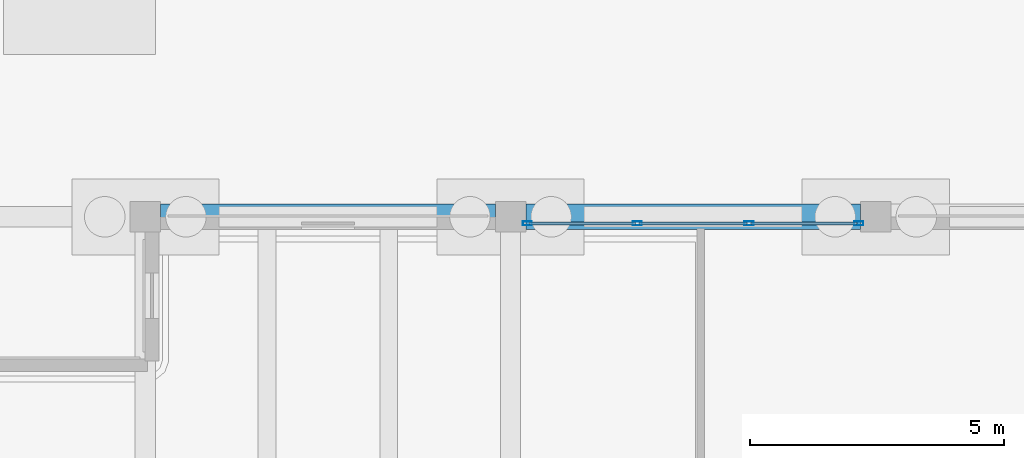
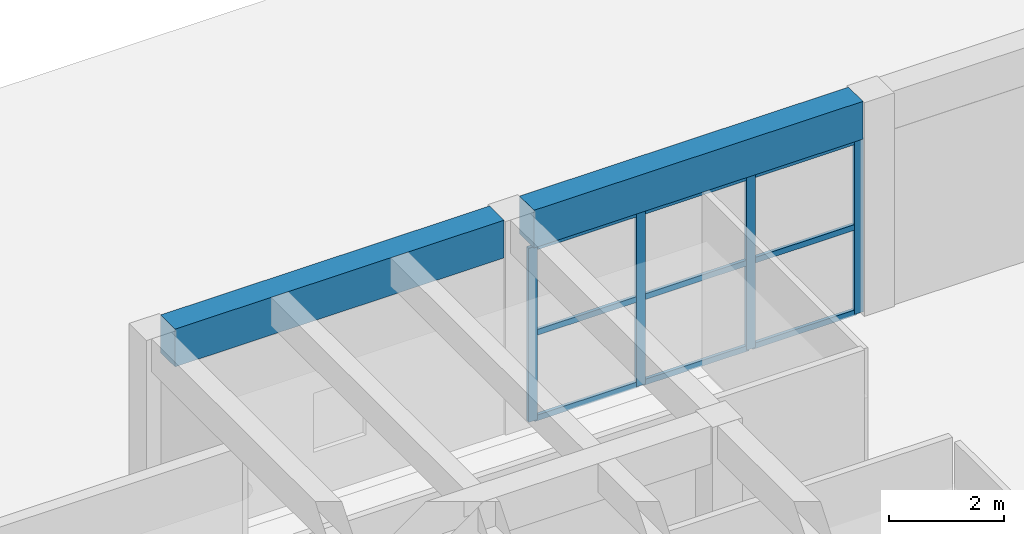
# One storey, part 96 of 155: 13 members, 2 beams, 1 element without a shape of its own.
"""IFC4 building model written with IfcOpenShell, lengths in metres."""

from ifc_helpers import new_model, si_unit, direction, frame, origin, origin_2d, place, context, subcontext, project, spatial, rectangle, hollow_rectangle, extrude, material, material_profile, profile_set, type_object, element, aggregate, save


model = new_model("IFC4")

# Units and contexts
model_context = context("Model", 3, precision=1e-05, world=origin(), true_north=direction((0.0, 1.0)))
body_context = subcontext(model_context, "Body", "Model", "MODEL_VIEW")
ifc_project = project(units=[si_unit("LENGTHUNIT", "METRE"), si_unit("AREAUNIT", "SQUARE_METRE"), si_unit("VOLUMEUNIT", "CUBIC_METRE"), si_unit("PLANEANGLEUNIT", "RADIAN"), si_unit("MASSUNIT", "GRAM", prefix="KILO")], contexts=[model_context])

# Site, building, storey
site_placement = place(None, origin())
site = spatial("IfcSite", under=ifc_project, at=site_placement, CompositionType="ELEMENT")
building_placement = place(site_placement, origin())
building = spatial("IfcBuilding", under=site, at=building_placement, Name="Bramvelor Terrace Health Centre", CompositionType="ELEMENT")
storey_placement = place(building_placement, origin())
storey = spatial("IfcBuildingStorey", under=building, at=storey_placement, Name="L01", CompositionType="ELEMENT", Elevation=0.0)

# Beams
ifc_material_1 = material(Name="Concrete C40/50", Category="concrete")
ifc_material_profile_1 = material_profile(ifc_material_1, rectangle(XDim=0.5, YDim=0.800048828125, at=origin_2d()), Name="RC 500x800")
ifc_profile_set_1 = profile_set([ifc_material_profile_1], Name="Concrete C40/50")
beam_type = type_object("IfcBeamType", Name="BM-RC-G800", PredefinedType="BEAM", material=ifc_profile_set_1)
for number, where, z_axis, x_axis, name in (
    (1, (65.10009765625, 100.800048828125, 4.1298828125), (1.0, 0.0, 0.0), (0.0, 1.0, 0.0), "L01 Floor Girder"),
    (2, (72.300048828125, 100.800048828125, 4.1298828125), (1.0, 0.0, 0.0), (0.0, 1.0, 0.0), "L01 Floor Girder"),
):
    element("IfcBeam", number, at=place(storey_placement, frame(where, z_axis=z_axis, x_axis=x_axis)), inside=storey, type_object=beam_type, Name=name, PredefinedType="BEAM", context=body_context, shape_type="SweptSolid", body=[
        extrude(rectangle(XDim=0.5, YDim=0.800048828125, at=origin_2d()), origin(), (0.0, 0.0, 1.0), 6.599853515625),
    ])

# Curtain wall, members
ifc_material_2 = material(Name="Anodized aluminium and double low-E glass", Category="aluminium")
curtain_wall_type = type_object("IfcCurtainWallType", Name="CW-SYS-02", PredefinedType="NOTDEFINED", material=ifc_material_2)
curtain_wall_placement = place(storey_placement, origin())
curtain_wall = element("IfcCurtainWall", 3, at=curtain_wall_placement, inside=storey, type_object=curtain_wall_type, Name="L01 Unitized Curtain Wall 23", PredefinedType="NOTDEFINED")
ifc_material_3 = material(Name="Anodized aluminium 6063-T6", Category="aluminium")
ifc_material_profile_2 = material_profile(ifc_material_3, hollow_rectangle(XDim=0.074951171875, YDim=0.179931640625, WallThickness=0.00341796875, at=origin_2d()), Name="ALU-MUL 75x180x3.5")
ifc_profile_set_2 = profile_set([ifc_material_profile_2], Name="Anodized aluminium 6063-T6")
member_type_1 = type_object("IfcMemberType", Name="CW-MUL-65x180", PredefinedType="MULLION", material=ifc_profile_set_2)
member_1_placement = place(storey_placement, frame((72.33251953125, 100.669921875, 0.0), z_axis=(0.0, 0.0, 1.0), x_axis=(0.0, 1.0, 0.0)))
member_1 = element("IfcMember", 4, at=member_1_placement, type_object=member_type_1, Name="CW-02 mullion 1", PredefinedType="MULLION", context=body_context, shape_type="SweptSolid", body=[
    extrude(hollow_rectangle(XDim=0.074951171875, YDim=0.179931640625, WallThickness=0.00341796875, at=origin_2d()), origin(), (0.0, 0.0, 1.0), 3.68994140625),
])
member_2_placement = place(storey_placement, frame((74.498291015625, 100.669921875, 0.0), z_axis=(0.0, 0.0, 1.0), x_axis=(0.0, 1.0, 0.0)))
member_2 = element("IfcMember", 5, at=member_2_placement, type_object=member_type_1, Name="CW-02 mullion 2", PredefinedType="MULLION", context=body_context, shape_type="SweptSolid", body=[
    extrude(hollow_rectangle(XDim=0.074951171875, YDim=0.179931640625, WallThickness=0.00341796875, at=origin_2d()), origin(), (0.0, 0.0, 1.0), 3.68994140625),
])
member_3_placement = place(storey_placement, frame((76.70166015625, 100.669921875, 0.0), z_axis=(0.0, 0.0, 1.0), x_axis=(0.0, 1.0, 0.0)))
member_3 = element("IfcMember", 6, at=member_3_placement, type_object=member_type_1, Name="CW-02 mullion 3", PredefinedType="MULLION", context=body_context, shape_type="SweptSolid", body=[
    extrude(hollow_rectangle(XDim=0.074951171875, YDim=0.179931640625, WallThickness=0.00341796875, at=origin_2d()), origin(), (0.0, 0.0, 1.0), 3.68994140625),
])
member_4_placement = place(storey_placement, frame((78.867431640625, 100.669921875, 0.0), z_axis=(0.0, 0.0, 1.0), x_axis=(0.0, 1.0, 0.0)))
member_4 = element("IfcMember", 7, at=member_4_placement, type_object=member_type_1, Name="CW-02 mullion 4", PredefinedType="MULLION", context=body_context, shape_type="SweptSolid", body=[
    extrude(hollow_rectangle(XDim=0.074951171875, YDim=0.179931640625, WallThickness=0.00341796875, at=origin_2d()), origin(), (0.0, 0.0, 1.0), 3.68994140625),
])
ifc_material_4 = material(Name="Anodized aluminium 6063-T6", Category="aluminium")
ifc_material_profile_3 = material_profile(ifc_material_4, hollow_rectangle(XDim=0.06494140625, YDim=0.1201171875, WallThickness=0.0029296875, at=origin_2d()), Name="ALU-TRN 65x120x3.0")
ifc_profile_set_3 = profile_set([ifc_material_profile_3], Name="Anodized aluminium 6063-T6")
member_type_2 = type_object("IfcMemberType", Name="CW-TRN-65x150", PredefinedType="USERDEFINED", material=ifc_profile_set_3)
member_5_placement = place(storey_placement, frame((72.3701171875, 100.669921875, 0.032470703125), z_axis=(1.0, 0.0, 0.0), x_axis=(0.0, 1.0, 0.0)))
member_5 = element("IfcMember", 8, at=member_5_placement, type_object=member_type_2, Name="CW-02 transom 1.1", ObjectType="TRANSOM", PredefinedType="USERDEFINED", context=body_context, shape_type="SweptSolid", body=[
    extrude(hollow_rectangle(XDim=0.06494140625, YDim=0.1201171875, WallThickness=0.0029296875, at=origin_2d()), origin(), (0.0, 0.0, 1.0), 2.0908203125),
])
member_6_placement = place(storey_placement, frame((72.3701171875, 100.669921875, 1.844970703125), z_axis=(1.0, 0.0, 0.0), x_axis=(0.0, 1.0, 0.0)))
member_6 = element("IfcMember", 9, at=member_6_placement, type_object=member_type_2, Name="CW-02 transom 1.2", ObjectType="TRANSOM", PredefinedType="USERDEFINED", context=body_context, shape_type="SweptSolid", body=[
    extrude(hollow_rectangle(XDim=0.06494140625, YDim=0.1201171875, WallThickness=0.0029296875, at=origin_2d()), origin(), (0.0, 0.0, 1.0), 2.0908203125),
])
member_7_placement = place(storey_placement, frame((72.3701171875, 100.669921875, 3.657470703125), z_axis=(1.0, 0.0, 0.0), x_axis=(0.0, 1.0, 0.0)))
member_7 = element("IfcMember", 10, at=member_7_placement, type_object=member_type_2, Name="CW-02 transom 1.3", ObjectType="TRANSOM", PredefinedType="USERDEFINED", context=body_context, shape_type="SweptSolid", body=[
    extrude(hollow_rectangle(XDim=0.06494140625, YDim=0.1201171875, WallThickness=0.0029296875, at=origin_2d()), origin(), (0.0, 0.0, 1.0), 2.0908203125),
])
member_8_placement = place(storey_placement, frame((74.535888671875, 100.669921875, 0.032470703125), z_axis=(1.0, 0.0, 0.0), x_axis=(0.0, 1.0, 0.0)))
member_8 = element("IfcMember", 11, at=member_8_placement, type_object=member_type_2, Name="CW-02 transom 2.1", ObjectType="TRANSOM", PredefinedType="USERDEFINED", context=body_context, shape_type="SweptSolid", body=[
    extrude(hollow_rectangle(XDim=0.06494140625, YDim=0.1201171875, WallThickness=0.0029296875, at=origin_2d()), origin(), (0.0, 0.0, 1.0), 2.128173828125),
])
member_9_placement = place(storey_placement, frame((74.535888671875, 100.669921875, 1.844970703125), z_axis=(1.0, 0.0, 0.0), x_axis=(0.0, 1.0, 0.0)))
member_9 = element("IfcMember", 12, at=member_9_placement, type_object=member_type_2, Name="CW-02 transom 2.2", ObjectType="TRANSOM", PredefinedType="USERDEFINED", context=body_context, shape_type="SweptSolid", body=[
    extrude(hollow_rectangle(XDim=0.06494140625, YDim=0.1201171875, WallThickness=0.0029296875, at=origin_2d()), origin(), (0.0, 0.0, 1.0), 2.128173828125),
])
member_10_placement = place(storey_placement, frame((74.535888671875, 100.669921875, 3.657470703125), z_axis=(1.0, 0.0, 0.0), x_axis=(0.0, 1.0, 0.0)))
member_10 = element("IfcMember", 13, at=member_10_placement, type_object=member_type_2, Name="CW-02 transom 2.3", ObjectType="TRANSOM", PredefinedType="USERDEFINED", context=body_context, shape_type="SweptSolid", body=[
    extrude(hollow_rectangle(XDim=0.06494140625, YDim=0.1201171875, WallThickness=0.0029296875, at=origin_2d()), origin(), (0.0, 0.0, 1.0), 2.128173828125),
])
member_11_placement = place(storey_placement, frame((76.7392578125, 100.669921875, 0.032470703125), z_axis=(1.0, 0.0, 0.0), x_axis=(0.0, 1.0, 0.0)))
member_11 = element("IfcMember", 14, at=member_11_placement, type_object=member_type_2, Name="CW-02 transom 3.1", ObjectType="TRANSOM", PredefinedType="USERDEFINED", context=body_context, shape_type="SweptSolid", body=[
    extrude(hollow_rectangle(XDim=0.06494140625, YDim=0.1201171875, WallThickness=0.0029296875, at=origin_2d()), origin(), (0.0, 0.0, 1.0), 2.0908203125),
])
member_12_placement = place(storey_placement, frame((76.7392578125, 100.669921875, 1.844970703125), z_axis=(1.0, 0.0, 0.0), x_axis=(0.0, 1.0, 0.0)))
member_12 = element("IfcMember", 15, at=member_12_placement, type_object=member_type_2, Name="CW-02 transom 3.2", ObjectType="TRANSOM", PredefinedType="USERDEFINED", context=body_context, shape_type="SweptSolid", body=[
    extrude(hollow_rectangle(XDim=0.06494140625, YDim=0.1201171875, WallThickness=0.0029296875, at=origin_2d()), origin(), (0.0, 0.0, 1.0), 2.0908203125),
])
member_13_placement = place(storey_placement, frame((76.7392578125, 100.669921875, 3.657470703125), z_axis=(1.0, 0.0, 0.0), x_axis=(0.0, 1.0, 0.0)))
member_13 = element("IfcMember", 16, at=member_13_placement, type_object=member_type_2, Name="CW-02 transom 3.3", ObjectType="TRANSOM", PredefinedType="USERDEFINED", context=body_context, shape_type="SweptSolid", body=[
    extrude(hollow_rectangle(XDim=0.06494140625, YDim=0.1201171875, WallThickness=0.0029296875, at=origin_2d()), origin(), (0.0, 0.0, 1.0), 2.0908203125),
])
aggregate(curtain_wall, [member_1, member_2, member_3, member_4, member_5, member_6, member_7, member_8, member_9, member_10, member_11, member_12, member_13])

save(model, "model.ifc")
